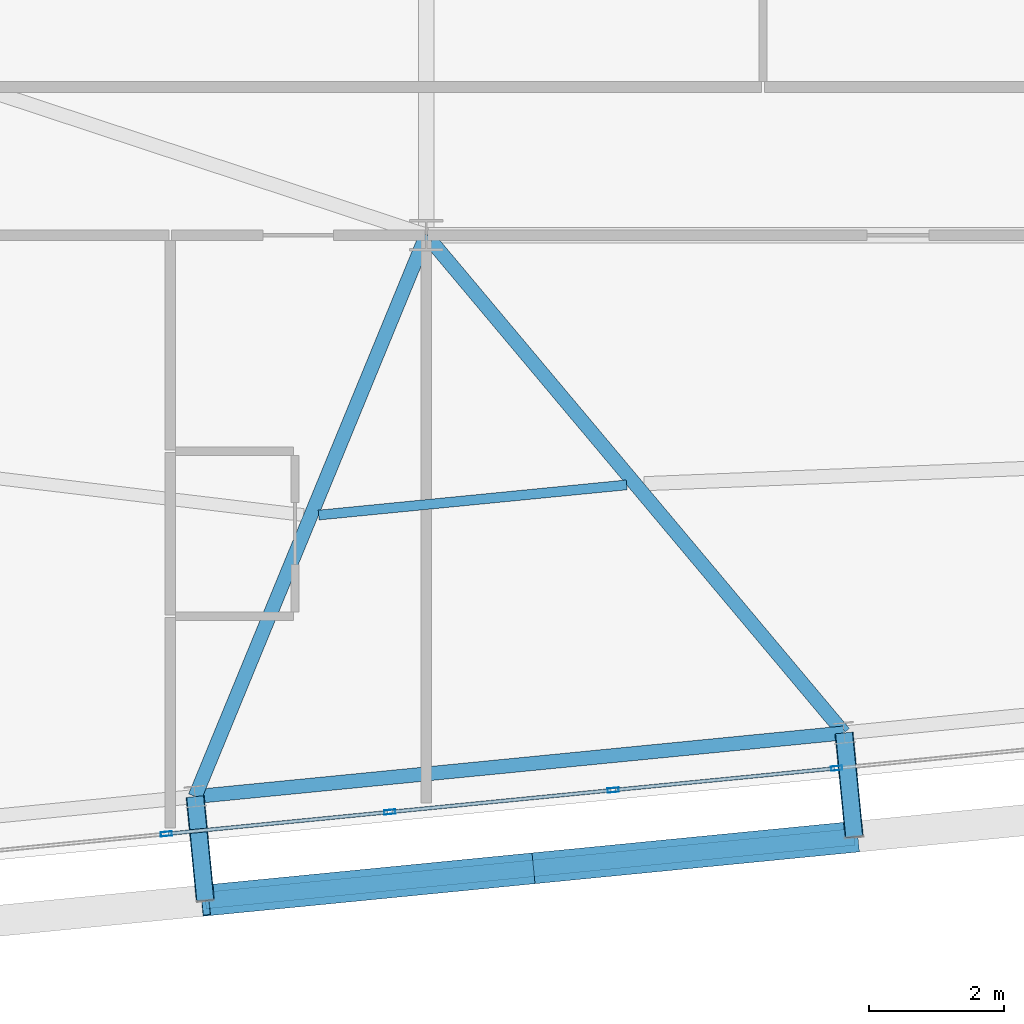
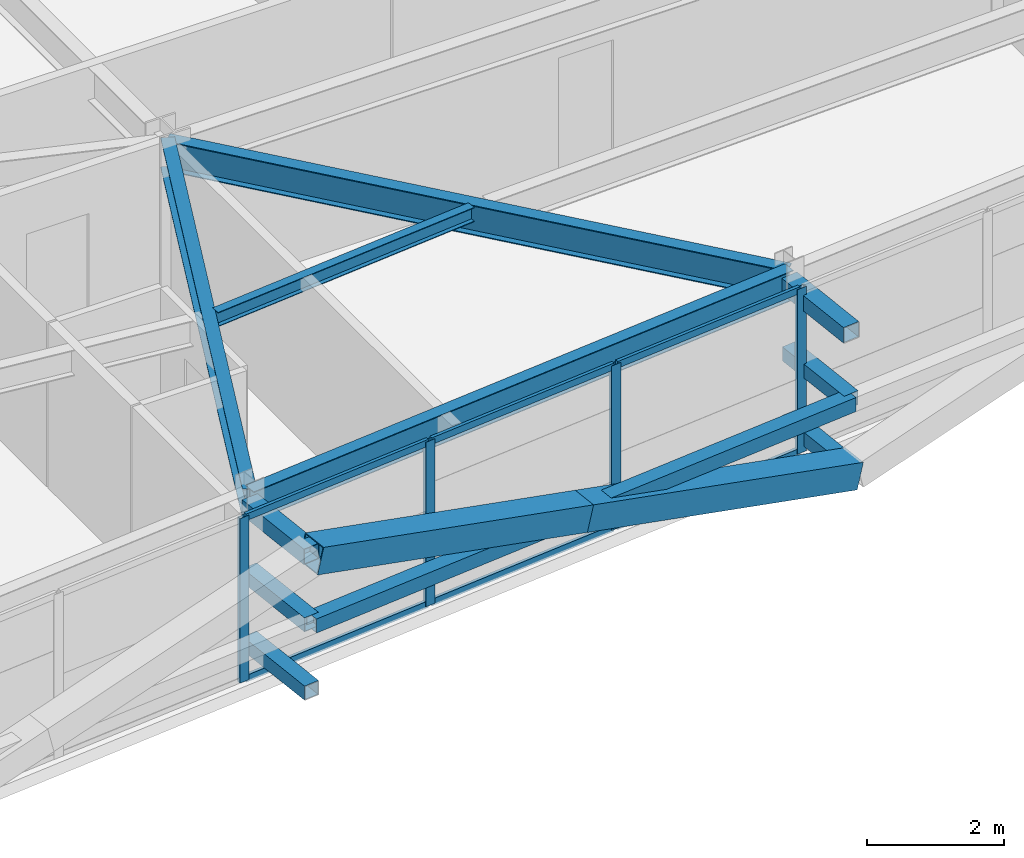
# One storey, part 10 of 53: 19 members, 4 beams, 1 element without a shape of its own.
"""IFC4 building model written with IfcOpenShell, lengths in metres."""

from ifc_helpers import new_model, si_unit, direction, frame, origin, origin_2d, place, context, subcontext, project, spatial, hollow_rectangle, i_section, extrude, source, transform, mapped, material, layer, layer_set, material_profile, profile_set, type_object, element, aggregate, save


model = new_model("IFC4")

# Units and contexts
model_context = context("Model", 3, precision=1e-05, world=origin(), true_north=direction((0.0, 1.0)))
body_context = subcontext(model_context, "Body", "Model", "MODEL_VIEW")
ifc_project = project(units=[si_unit("LENGTHUNIT", "METRE"), si_unit("AREAUNIT", "SQUARE_METRE"), si_unit("VOLUMEUNIT", "CUBIC_METRE"), si_unit("PLANEANGLEUNIT", "RADIAN"), si_unit("MASSUNIT", "GRAM", prefix="KILO")], contexts=[model_context])

# Site, building, storey
site_placement = place(None, origin())
site = spatial("IfcSite", under=ifc_project, at=site_placement, CompositionType="ELEMENT")
building_placement = place(site_placement, origin())
building = spatial("IfcBuilding", under=site, at=building_placement, Name="Taldren Reach Tower", CompositionType="ELEMENT")
storey_placement = place(building_placement, frame((0.0, 0.0, 80.85009765625)))
storey = spatial("IfcBuildingStorey", under=building, at=storey_placement, Name="L24", CompositionType="ELEMENT", Elevation=80.85009765625)

# Beams
ifc_material_1 = material(Name="Steel Gr 350 (350PLUS)", Category="steel")
ifc_material_profile_1 = material_profile(ifc_material_1, i_section(OverallWidth=0.208984375, OverallDepth=0.528076171875, WebThickness=0.009521484375, FlangeThickness=0.01318359375, at=origin_2d()), Name="530UB82.0")
ifc_profile_set_1 = profile_set([ifc_material_profile_1], Name="Steel Gr 350 (350PLUS)")
beam_type_1 = type_object("IfcBeamType", Name="SP-UB530B", PredefinedType="SPANDREL", material=ifc_profile_set_1)
shared_shape_1 = source(origin(), body_context, "Body", "SweptSolid", [
    extrude(i_section(OverallWidth=0.208984375, OverallDepth=0.528076171875, WebThickness=0.009521484375, FlangeThickness=0.01318359375, at=origin_2d()), origin(), (0.0, 0.0, 1.0), 9.679931640625),
])
beam_1_placement = place(storey_placement, frame((24.56787109375, 0.86474609375, 2.666015625), z_axis=(0.995227612658, 0.097580730699, 0.0), x_axis=(-0.097580730699, 0.995227612658, 0.0)))
element("IfcBeam", 1, at=beam_1_placement, inside=storey, type_object=beam_type_1, Name="Perimeter spandrel B2 S2-S3 L24", PredefinedType="SPANDREL", context=body_context, shape_type="MappedRepresentation", body=[
    mapped(shared_shape_1, transform((0.0, 0.0, 0.0), scale=1.0)),
])
ifc_material_profile_2 = material_profile(ifc_material_1, i_section(OverallWidth=0.208984375, OverallDepth=0.532958984375, WebThickness=0.01025390625, FlangeThickness=0.015625, at=origin_2d()), Name="530UB92.4")
ifc_profile_set_2 = profile_set([ifc_material_profile_2], Name="Steel Gr 350 (350PLUS)")
beam_type_2 = type_object("IfcBeamType", Name="BM-UB530A", PredefinedType="BEAM", material=ifc_profile_set_2)
shared_shape_2 = source(origin(), body_context, "Body", "SweptSolid", [
    extrude(i_section(OverallWidth=0.208984375, OverallDepth=0.532958984375, WebThickness=0.01025390625, FlangeThickness=0.015625, at=origin_2d()), origin(), (0.0, 0.0, 1.0), 9.01416015625),
])
beam_2_placement = place(storey_placement, frame((28.0, 9.199951171875, 2.663330078125), z_axis=(-0.380748443035, -0.924678659387, 0.0), x_axis=(0.924678659387, -0.380748443035, 0.0)))
element("IfcBeam", 2, at=beam_2_placement, inside=storey, type_object=beam_type_2, Name="Primary floor girder B2-S2 L24", PredefinedType="BEAM", context=body_context, shape_type="MappedRepresentation", body=[
    mapped(shared_shape_2, transform((0.0, 0.0, 0.0), scale=1.0)),
])
shared_shape_3 = source(origin(), body_context, "Body", "SweptSolid", [
    extrude(i_section(OverallWidth=0.208984375, OverallDepth=0.532958984375, WebThickness=0.01025390625, FlangeThickness=0.015625, at=origin_2d()), origin(), (0.0, 0.0, 1.0), 9.64794921875),
])
beam_3_placement = place(storey_placement, frame((28.0, 9.199951171875, 2.663330078125), z_axis=(0.642799132398, -0.766034774268, 0.0), x_axis=(0.766034774268, 0.642799132398, 0.0)))
element("IfcBeam", 3, at=beam_3_placement, inside=storey, type_object=beam_type_2, Name="Primary floor girder B2-S3 L24", PredefinedType="BEAM", context=body_context, shape_type="MappedRepresentation", body=[
    mapped(shared_shape_3, transform((0.0, 0.0, 0.0), scale=1.0)),
])
ifc_material_2 = material(Name="Steel Gr 300 (300PLUS, 300 MPa)", Category="steel")
ifc_material_profile_3 = material_profile(ifc_material_2, i_section(OverallWidth=0.14599609375, OverallDepth=0.256103515625, WebThickness=0.00634765625, FlangeThickness=0.010986328125, at=origin_2d()), Name="250UB37.3")
ifc_profile_set_3 = profile_set([ifc_material_profile_3], Name="Steel Gr 300 (300PLUS, 300 MPa)")
beam_type_3 = type_object("IfcBeamType", Name="JS-UB250", PredefinedType="JOIST", material=ifc_profile_set_3)
shared_shape_4 = source(origin(), body_context, "Body", "SweptSolid", [
    extrude(i_section(OverallWidth=0.14599609375, OverallDepth=0.256103515625, WebThickness=0.00634765625, FlangeThickness=0.010986328125, at=origin_2d()), origin(), (0.0, 0.0, 1.0), 4.594970703125),
])
beam_4_placement = place(storey_placement, frame((26.40185546875, 5.0439453125, 2.802001953125), z_axis=(0.995230447096, 0.097551817888, 0.0), x_axis=(-0.097551817888, 0.995230447096, 0.0)))
element("IfcBeam", 4, at=beam_4_placement, inside=storey, type_object=beam_type_3, Name="Secondary floor joist B2 J2 L24", PredefinedType="JOIST", context=body_context, shape_type="MappedRepresentation", body=[
    mapped(shared_shape_4, transform((0.0, 0.0, 0.0), scale=1.0)),
])

# Members
ifc_material_3 = material(Name="Steel Gr 450 (C450L0)", Category="steel")
ifc_material_profile_4 = material_profile(ifc_material_3, hollow_rectangle(XDim=0.27490234375, YDim=0.27490234375, WallThickness=0.00927734375, at=origin_2d()), Name="275x275x9.3SHS")
ifc_profile_set_4 = profile_set([ifc_material_profile_4], Name="Steel Gr 450 (C450L0)")
member_type_1 = type_object("IfcMemberType", Name="MB-TIE273", PredefinedType="STRUT", material=ifc_profile_set_4)
shared_shape_5 = source(origin(), body_context, "Body", "SweptSolid", [
    extrude(hollow_rectangle(XDim=0.27490234375, YDim=0.27490234375, WallThickness=0.00927734375, at=origin_2d()), origin(), (0.0, 0.0, 1.0), 1.550048828125),
])
for number, where, z_axis, x_axis, name in (
    (5, (24.56787109375, 0.86474609375, 2.64990234375), (0.097647892962, -0.9952210252, 0.0), (0.9952210252, 0.097647892962, 0.0), "Exoskeleton diaphragm tie strut B2-S2 L24"),
    (6, (34.20166015625, 1.809326171875, 2.64990234375), (0.097647892962, -0.9952210252, 0.0), (0.9952210252, 0.097647892962, 0.0), "Exoskeleton diaphragm tie strut B2-S3 L24"),
):
    element("IfcMember", number, at=place(storey_placement, frame(where, z_axis=z_axis, x_axis=x_axis)), inside=storey, type_object=member_type_1, Name=name, PredefinedType="STRUT", context=body_context, shape_type="MappedRepresentation", body=[
        mapped(shared_shape_5, transform((0.0, 0.0, 0.0), scale=1.0)),
    ])
ifc_material_profile_5 = material_profile(ifc_material_3, hollow_rectangle(XDim=0.4599609375, YDim=0.4599609375, WallThickness=0.01611328125, at=origin_2d()), Name="460x460x16.0SHS")
ifc_profile_set_5 = profile_set([ifc_material_profile_5], Name="Steel Gr 450 (C450L0)")
member_type_2 = type_object("IfcMemberType", Name="MB-EXO457", PredefinedType="BRACE", material=ifc_profile_set_5)
shared_shape_6 = source(origin(), body_context, "Body", "SweptSolid", [
    extrude(hollow_rectangle(XDim=0.4599609375, YDim=0.4599609375, WallThickness=0.01611328125, at=origin_2d()), origin(), (0.0, 0.0, 1.0), 4.990234375),
])
for number, where, z_axis, x_axis, name in (
    (7, (34.35302734375, 0.2666015625, 0.219970703125), (-0.965287024526, -0.094620633828, 0.24344998652), (0.097555749586, -0.995230061706, 0.0), "Exoskeleton Diagrid Brace B2-S2 L24"),
    (8, (29.5361328125, -0.20556640625, 1.434814453125), (-0.965271056716, -0.094667992638, 0.243494883389), (0.097605711627, -0.995225162995, 0.0), "Exoskeleton Diagrid Brace B2-S2 L24"),
):
    element("IfcMember", number, at=place(storey_placement, frame(where, z_axis=z_axis, x_axis=x_axis)), inside=storey, type_object=member_type_2, Name=name, PredefinedType="BRACE", context=body_context, shape_type="MappedRepresentation", body=[
        mapped(shared_shape_6, transform((0.0, 0.0, 0.0), scale=1.0)),
    ])
ifc_material_4 = material(Name="Steel Gr 350 (C350L0)", Category="steel")
ifc_material_profile_6 = material_profile(ifc_material_4, hollow_rectangle(XDim=0.25, YDim=0.25, WallThickness=0.010009765625, at=origin_2d()), Name="250x250x10.0SHS")
ifc_profile_set_6 = profile_set([ifc_material_profile_6], Name="Steel Gr 350 (C350L0)")
member_type_3 = type_object("IfcMemberType", Name="MB-POST250", PredefinedType="POST", material=ifc_profile_set_6)
shared_shape_7 = source(origin(), body_context, "Body", "SweptSolid", [
    extrude(hollow_rectangle(XDim=0.25, YDim=0.25, WallThickness=0.010009765625, at=origin_2d()), origin(), (0.0, 0.0, 1.0), 9.679931640625),
])
member_1_placement = place(storey_placement, frame((24.71923828125, -0.677978515625, 1.434814453125), z_axis=(0.995227612658, 0.097580730699, 0.0), x_axis=(-0.097580730699, 0.995227612658, 0.0)))
element("IfcMember", 9, at=member_1_placement, inside=storey, type_object=member_type_3, Name="Exoskeleton mid-height ring chord B2-S2 L24", PredefinedType="POST", context=body_context, shape_type="MappedRepresentation", body=[
    mapped(shared_shape_7, transform((0.0, 0.0, 0.0), scale=1.0)),
])
shared_shape_8 = source(origin(), body_context, "Body", "SweptSolid", [
    extrude(hollow_rectangle(XDim=0.25, YDim=0.25, WallThickness=0.010009765625, at=origin_2d()), origin(), (0.0, 0.0, 1.0), 1.550048828125),
])
for number, where, z_axis, x_axis, name in (
    (10, (24.56787109375, 0.86474609375, 0.219970703125), (0.097647892962, -0.9952210252, 0.0), (0.9952210252, 0.097647892962, 0.0), "Exoskeleton base diaphragm tie strut B2-S2 L24"),
    (11, (34.20166015625, 1.809326171875, 0.219970703125), (0.097647892962, -0.9952210252, 0.0), (0.9952210252, 0.097647892962, 0.0), "Exoskeleton base diaphragm tie strut B2-S3 L24"),
    (12, (24.56787109375, 0.86474609375, 1.434814453125), (0.097647892962, -0.9952210252, 0.0), (0.9952210252, 0.097647892962, 0.0), "Exoskeleton mid-tier diaphragm tie B2-S2 L24"),
    (13, (34.20166015625, 1.809326171875, 1.434814453125), (0.097647892962, -0.9952210252, 0.0), (0.9952210252, 0.097647892962, 0.0), "Exoskeleton mid-tier diaphragm tie B2-S3 L24"),
):
    element("IfcMember", number, at=place(storey_placement, frame(where, z_axis=z_axis, x_axis=x_axis)), inside=storey, type_object=member_type_3, Name=name, PredefinedType="POST", context=body_context, shape_type="MappedRepresentation", body=[
        mapped(shared_shape_8, transform((0.0, 0.0, 0.0), scale=1.0)),
    ])

# Curtain wall, members
ifc_material_5 = material(Name="Aluminium and Low-E Glass Unitised System", Category="aluminium")
ifc_layer = layer(ifc_material_5, 0.159912109375)
ifc_layer_set = layer_set([ifc_layer], Name="Aluminium and Low-E Glass Unitised System")
curtain_wall_type = type_object("IfcCurtainWallType", Name="CW-SYS-3", PredefinedType="NOTDEFINED", material=ifc_layer_set)
curtain_wall_placement = place(storey_placement, origin())
curtain_wall = element("IfcCurtainWall", 14, at=curtain_wall_placement, inside=storey, type_object=curtain_wall_type, Name="Unitised curtain wall CW-L24-S", PredefinedType="NOTDEFINED")
ifc_material_6 = material(Name="Anodised Aluminium 6063-T6", Category="aluminium")
ifc_material_profile_7 = material_profile(ifc_material_6, hollow_rectangle(XDim=0.06494140625, YDim=0.1650390625, WallThickness=0.00390625, at=origin_2d()), Name="ALU-165x65x4RHS")
ifc_profile_set_7 = profile_set([ifc_material_profile_7], Name="Anodised Aluminium 6063-T6")
member_type_4 = type_object("IfcMemberType", Name="CW-MUL-165", PredefinedType="MULLION", material=ifc_profile_set_7)
shared_shape_9 = source(origin(), body_context, "Body", "SweptSolid", [
    extrude(hollow_rectangle(XDim=0.06494140625, YDim=0.1650390625, WallThickness=0.00390625, at=origin_2d()), origin(), (0.0, 0.0, 1.0), 2.929931640625),
])
member_2_placement = place(storey_placement, frame((24.14013671875, 0.310302734375, 0.0), z_axis=(0.0, 0.0, 1.0), x_axis=(-0.097582999046, 0.995227390247, 0.0)))
member_2 = element("IfcMember", 15, at=member_2_placement, type_object=member_type_4, Name="CW-3 mullion 4", PredefinedType="MULLION", context=body_context, shape_type="MappedRepresentation", body=[
    mapped(shared_shape_9, transform((0.0, 0.0, 0.0), scale=1.0)),
])
member_3_placement = place(storey_placement, frame((27.45751953125, 0.635498046875, 0.0), z_axis=(0.0, 0.0, 1.0), x_axis=(-0.097582999046, 0.995227390247, 0.0)))
member_3 = element("IfcMember", 16, at=member_3_placement, type_object=member_type_4, Name="CW-3 mullion 5", PredefinedType="MULLION", context=body_context, shape_type="MappedRepresentation", body=[
    mapped(shared_shape_9, transform((0.0, 0.0, 0.0), scale=1.0)),
])
member_4_placement = place(storey_placement, frame((30.77490234375, 0.9609375, 0.0), z_axis=(0.0, 0.0, 1.0), x_axis=(-0.097582999046, 0.995227390247, 0.0)))
member_4 = element("IfcMember", 17, at=member_4_placement, type_object=member_type_4, Name="CW-3 mullion 6", PredefinedType="MULLION", context=body_context, shape_type="MappedRepresentation", body=[
    mapped(shared_shape_9, transform((0.0, 0.0, 0.0), scale=1.0)),
])
member_5_placement = place(storey_placement, frame((34.09228515625, 1.2861328125, 0.0), z_axis=(0.0, 0.0, 1.0), x_axis=(-0.097582999046, 0.995227390247, 0.0)))
member_5 = element("IfcMember", 18, at=member_5_placement, type_object=member_type_4, Name="CW-3 mullion 7", PredefinedType="MULLION", context=body_context, shape_type="MappedRepresentation", body=[
    mapped(shared_shape_9, transform((0.0, 0.0, 0.0), scale=1.0)),
])
ifc_material_profile_8 = material_profile(ifc_material_6, hollow_rectangle(XDim=0.054931640625, YDim=0.1201171875, WallThickness=0.0029296875, at=origin_2d()), Name="ALU-120x55x3RHS")
ifc_profile_set_8 = profile_set([ifc_material_profile_8], Name="Anodised Aluminium 6063-T6")
member_type_5 = type_object("IfcMemberType", Name="CW-TRN-135", PredefinedType="USERDEFINED", material=ifc_profile_set_8)
shared_shape_10 = source(origin(), body_context, "Body", "SweptSolid", [
    extrude(hollow_rectangle(XDim=0.054931640625, YDim=0.1201171875, WallThickness=0.0029296875, at=origin_2d()), origin(), (0.0, 0.0, 1.0), 3.268310546875),
])
member_6_placement = place(storey_placement, frame((24.17236328125, 0.3134765625, 0.02734375), z_axis=(0.99522980512, 0.097558367146, 0.0), x_axis=(-0.097558367146, 0.99522980512, 0.0)))
member_6 = element("IfcMember", 19, at=member_6_placement, type_object=member_type_5, Name="CW-3 transom 4.1", ObjectType="TRANSOM", PredefinedType="USERDEFINED", context=body_context, shape_type="MappedRepresentation", body=[
    mapped(shared_shape_10, transform((0.0, 0.0, 0.0), scale=1.0)),
])
member_7_placement = place(storey_placement, frame((24.17236328125, 0.3134765625, 2.90234375), z_axis=(0.99522980512, 0.097558367146, 0.0), x_axis=(-0.097558367146, 0.99522980512, 0.0)))
member_7 = element("IfcMember", 20, at=member_7_placement, type_object=member_type_5, Name="CW-3 transom 4.2", ObjectType="TRANSOM", PredefinedType="USERDEFINED", context=body_context, shape_type="MappedRepresentation", body=[
    mapped(shared_shape_10, transform((0.0, 0.0, 0.0), scale=1.0)),
])
member_8_placement = place(storey_placement, frame((27.48974609375, 0.638671875, 0.02734375), z_axis=(0.995222549564, 0.097632355496, 0.0), x_axis=(-0.097632355496, 0.995222549564, 0.0)))
member_8 = element("IfcMember", 21, at=member_8_placement, type_object=member_type_5, Name="CW-3 transom 5.1", ObjectType="TRANSOM", PredefinedType="USERDEFINED", context=body_context, shape_type="MappedRepresentation", body=[
    mapped(shared_shape_10, transform((0.0, 0.0, 0.0), scale=1.0)),
])
member_9_placement = place(storey_placement, frame((27.48974609375, 0.638671875, 2.90234375), z_axis=(0.995222549564, 0.097632355496, 0.0), x_axis=(-0.097632355496, 0.995222549564, 0.0)))
member_9 = element("IfcMember", 22, at=member_9_placement, type_object=member_type_5, Name="CW-3 transom 5.2", ObjectType="TRANSOM", PredefinedType="USERDEFINED", context=body_context, shape_type="MappedRepresentation", body=[
    mapped(shared_shape_10, transform((0.0, 0.0, 0.0), scale=1.0)),
])
shared_shape_11 = source(origin(), body_context, "Body", "SweptSolid", [
    extrude(hollow_rectangle(XDim=0.054931640625, YDim=0.1201171875, WallThickness=0.0029296875, at=origin_2d()), origin(), (0.0, 0.0, 1.0), 3.2685546875),
])
member_10_placement = place(storey_placement, frame((30.80712890625, 0.964111328125, 0.02734375), z_axis=(0.99523051601, 0.097551114824, 0.0), x_axis=(-0.097551114824, 0.99523051601, 0.0)))
member_10 = element("IfcMember", 23, at=member_10_placement, type_object=member_type_5, Name="CW-3 transom 6.1", ObjectType="TRANSOM", PredefinedType="USERDEFINED", context=body_context, shape_type="MappedRepresentation", body=[
    mapped(shared_shape_11, transform((0.0, 0.0, 0.0), scale=1.0)),
])
member_11_placement = place(storey_placement, frame((30.80712890625, 0.964111328125, 2.90234375), z_axis=(0.99523051601, 0.097551114824, 0.0), x_axis=(-0.097551114824, 0.99523051601, 0.0)))
member_11 = element("IfcMember", 24, at=member_11_placement, type_object=member_type_5, Name="CW-3 transom 6.2", ObjectType="TRANSOM", PredefinedType="USERDEFINED", context=body_context, shape_type="MappedRepresentation", body=[
    mapped(shared_shape_11, transform((0.0, 0.0, 0.0), scale=1.0)),
])
aggregate(curtain_wall, [member_2, member_3, member_4, member_5, member_6, member_7, member_8, member_9, member_10, member_11])

save(model, "model.ifc")
